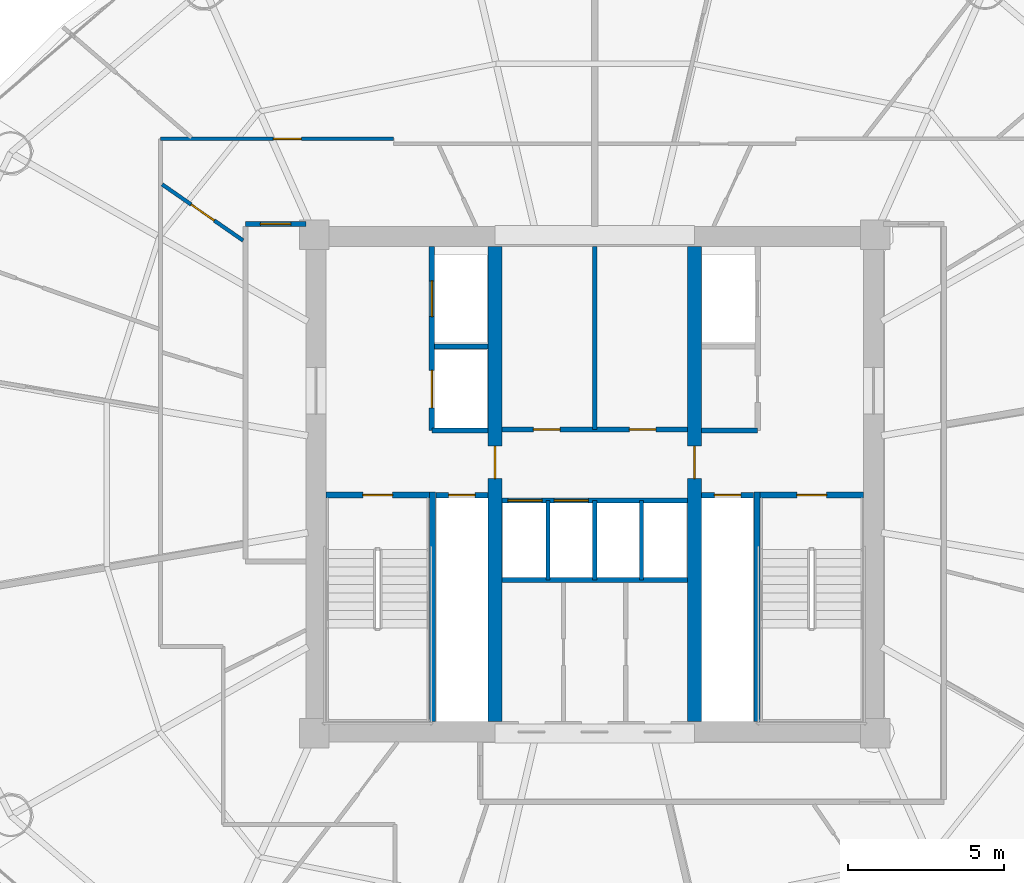
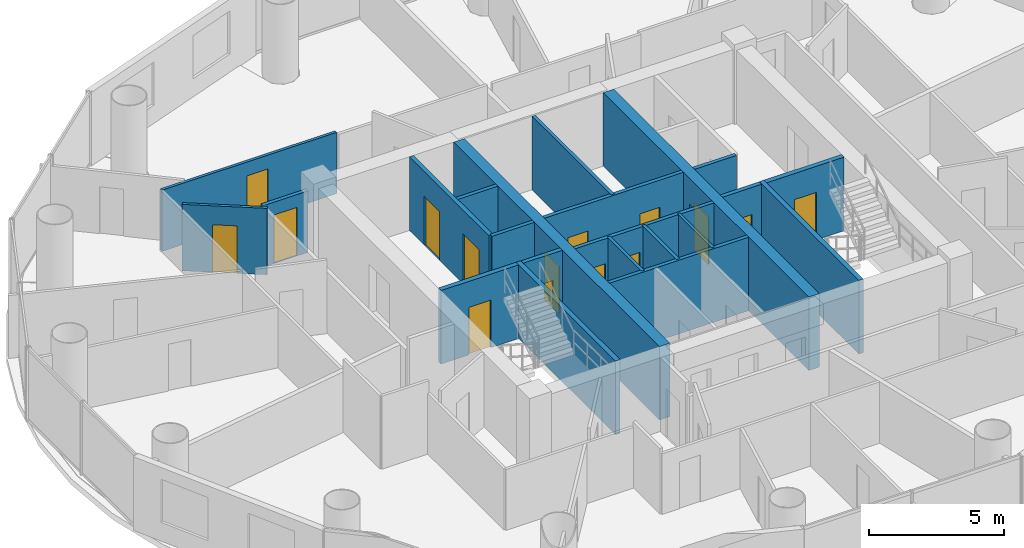
# One storey, part 21 of 26: 22 walls, 15 doors, 15 openings.
"""IFC4 building model written with IfcOpenShell, lengths in metres."""

from ifc_helpers import new_model, si_unit, direction, frame, frame_2d, origin, place, context, subcontext, project, spatial, rectangle, extrude, source, transform, mapped, material, layer, layer_set, type_object, element, fill, save


model = new_model("IFC4")

# Units and contexts
model_context = context("Model", 3, precision=1e-05, world=origin(), true_north=direction((-0.2419218956, 0.970295726276)))
body_context = subcontext(model_context, "Body", "Model", "MODEL_VIEW")
ifc_project = project(units=[si_unit("LENGTHUNIT", "METRE"), si_unit("AREAUNIT", "SQUARE_METRE"), si_unit("VOLUMEUNIT", "CUBIC_METRE"), si_unit("PLANEANGLEUNIT", "RADIAN"), si_unit("MASSUNIT", "GRAM", prefix="KILO")], contexts=[model_context])

# Site, building, storey
site_placement = place(None, origin())
site = spatial("IfcSite", under=ifc_project, at=site_placement, CompositionType="ELEMENT")
building_placement = place(site_placement, origin())
building = spatial("IfcBuilding", under=site, at=building_placement, Name="Cobrevalo Terracotta Tower", CompositionType="ELEMENT")
storey_placement = place(building_placement, frame((0.0, 0.0, 135.39990234375)))
storey = spatial("IfcBuildingStorey", under=building, at=storey_placement, Name="L35", CompositionType="ELEMENT", Elevation=135.39990234375)

# Walls
ifc_material_1 = material(Name="Gypsum board on steel stud", Category="steel")
ifc_layer_1 = layer(ifc_material_1, 0.159912109375)
ifc_layer_set_1 = layer_set([ifc_layer_1], Name="Gypsum board on steel stud")
wall_type_1 = type_object("IfcWallType", Name="Fire-rated corridor acoustic partition wall 160 mm", PredefinedType="PARTITIONING", material=ifc_layer_set_1)
wall_1_placement = place(storey_placement, frame((32.860107421875, 31.219970703125, 0.0), z_axis=(0.0, 0.0, 1.0), x_axis=(1.0, 0.0, 0.0)))
element("IfcWall", 1, at=wall_1_placement, inside=storey, type_object=wall_type_1, Name="L35 interior partition IW-L35-FF1-M", PredefinedType="PARTITIONING", context=body_context, shape_type="SweptSolid", body=[
    extrude(rectangle(XDim=1.71484375, YDim=0.159912109375, at=frame_2d((0.857421875, 0.0))), origin(), (0.0, 0.0, 1.0), 3.330078125),
])
for number, where, z_axis, x_axis, name in (
    (2, (32.77001953125, 28.52001953125, 0.0), (0.0, 0.0, 1.0), (1.0, 0.0, 0.0), "L35 interior partition IW-L35-FF1-S"),
    (3, (41.425048828125, 28.52001953125, 0.0), (0.0, 0.0, 1.0), (1.0, 0.0, 0.0), "L35 interior partition IW-L35-FF2-S"),
):
    element("IfcWall", number, at=place(storey_placement, frame(where, z_axis=z_axis, x_axis=x_axis)), inside=storey, type_object=wall_type_1, Name=name, PredefinedType="PARTITIONING", context=body_context, shape_type="SweptSolid", body=[
        extrude(rectangle(XDim=1.804931640625, YDim=0.159912109375, at=frame_2d((0.90234375, 0.0))), origin(), (0.0, 0.0, 1.0), 3.330078125),
    ])

# Wall, openings, doors
wall_2_placement = place(storey_placement, frame((35.02490234375, 28.56005859375, 0.0), z_axis=(0.0, 0.0, 1.0), x_axis=(1.0, 0.0, 0.0)))
wall_2 = element("IfcWall", 4, at=wall_2_placement, inside=storey, type_object=wall_type_1, Name="L35 interior partition IW-L35-LB-S", PredefinedType="PARTITIONING", context=body_context, shape_type="SweptSolid", body=[
    extrude(rectangle(XDim=5.9501953125, YDim=0.159912109375, at=frame_2d((2.97509765625, 0.0))), origin(), (0.0, 0.0, 1.0), 3.330078125),
])
opening_1_placement = place(wall_2_placement, frame((1.007568359375, 0.0, 0.0)))
opening_1 = element("IfcOpeningElement", 5, at=opening_1_placement, cuts=wall_2, Name="Opening ID-07", PredefinedType="OPENING", context=body_context, shape_type="SweptSolid", body=[
    extrude(rectangle(XDim=0.860107421875, YDim=2.10009765625, at=frame_2d((0.43017578125, 1.050048828125))), frame((0.0, 0.08984375, 0.0), z_axis=(0.0, -1.0, 0.0), x_axis=(1.0, 0.0, 0.0)), (0.0, 0.0, 1.0), 0.179931640625),
])
opening_2_placement = place(wall_2_placement, frame((4.08740234375, 0.0, 0.0)))
opening_2 = element("IfcOpeningElement", 6, at=opening_2_placement, cuts=wall_2, Name="Opening ID-22", PredefinedType="OPENING", context=body_context, shape_type="SweptSolid", body=[
    extrude(rectangle(XDim=0.85009765625, YDim=2.10009765625, at=frame_2d((0.425048828125, 1.050048828125))), frame((0.0, 0.08984375, 0.0), z_axis=(0.0, -1.0, 0.0), x_axis=(1.0, 0.0, 0.0)), (0.0, 0.0, 1.0), 0.179931640625),
])
ifc_material_2 = material(Name="Powder-coated steel", Category="steel")
door_type_1 = type_object("IfcDoorType", Name="Riser shaft & meter closet fire access door 850x2100 EI 60", OperationType="NOTDEFINED", PredefinedType="DOOR", material=ifc_material_2)
shared_shape_1 = source(origin(), body_context, "Body", "SweptSolid", [
    extrude(rectangle(XDim=0.85009765625, YDim=2.10009765625, at=frame_2d((0.425048828125, 1.050048828125))), frame((0.0, 0.02490234375, 0.0), z_axis=(0.0, -1.0, 0.0), x_axis=(1.0, 0.0, 0.0)), (0.0, 0.0, 1.0), 0.050048828125),
])
door_1_placement = place(opening_2_placement, origin())
door_1 = element("IfcDoor", 7, at=door_1_placement, inside=storey, type_object=door_type_1, Name="L35 core service door Floor Telecom and Metering Plant", OperationType="SINGLE_SWING_RIGHT", OverallHeight=2.10009765625, OverallWidth=0.85009765625, PredefinedType="DOOR", context=body_context, shape_type="MappedRepresentation", body=[
    mapped(shared_shape_1, transform((0.0, 0.0, 0.0), scale=1.0)),
])
fill(opening_2, door_1)
ifc_material_3 = material(Name="Fire-rated moisture-sealed timber", Category="wood")
door_type_2 = type_object("IfcDoorType", Name="Core & podium fire-rated accessible WC door 860x2100 EI 60", OperationType="NOTDEFINED", PredefinedType="DOOR", material=ifc_material_3)
shared_shape_2 = source(origin(), body_context, "Body", "SweptSolid", [
    extrude(rectangle(XDim=0.860107421875, YDim=2.10009765625, at=frame_2d((0.43017578125, 1.050048828125))), frame((0.0, 0.02490234375, 0.0), z_axis=(0.0, -1.0, 0.0), x_axis=(1.0, 0.0, 0.0)), (0.0, 0.0, 1.0), 0.050048828125),
])
door_2_placement = place(opening_1_placement, origin())
door_2 = element("IfcDoor", 8, at=door_2_placement, inside=storey, type_object=door_type_2, Name="L35 core service door Core Accessible Toilet WC", OperationType="SINGLE_SWING_LEFT", OverallHeight=2.10009765625, OverallWidth=0.860107421875, PredefinedType="DOOR", context=body_context, shape_type="MappedRepresentation", body=[
    mapped(shared_shape_2, transform((0.0, 0.0, 0.0), scale=1.0)),
])
fill(opening_1, door_2)

wall_3_placement = place(storey_placement, frame((35.02490234375, 26.280029296875, 0.0), z_axis=(0.0, 0.0, 1.0), x_axis=(1.0, 0.0, 0.0)))
wall_3 = element("IfcWall", 9, at=wall_3_placement, inside=storey, type_object=wall_type_1, Name="L35 interior partition IW-L35-MB-N", PredefinedType="PARTITIONING", context=body_context, shape_type="SweptSolid", body=[
    extrude(rectangle(XDim=5.9501953125, YDim=0.159912109375, at=frame_2d((2.97509765625, 0.0))), origin(), (0.0, 0.0, 1.0), 3.330078125),
])
opening_3_placement = place(wall_3_placement, frame((0.18994140625, 0.0, 0.0)))
opening_3 = element("IfcOpeningElement", 10, at=opening_3_placement, cuts=wall_3, Name="Opening LD-01", PredefinedType="OPENING", context=body_context, shape_type="SweptSolid", body=[
    extrude(rectangle(XDim=1.10009765625, YDim=2.199951171875, at=frame_2d((0.550048828125, 1.10009765625))), frame((0.0, 0.08984375, 0.0), z_axis=(0.0, -1.0, 0.0), x_axis=(1.0, 0.0, 0.0)), (0.0, 0.0, 1.0), 0.179931640625),
])
opening_4_placement = place(wall_3_placement, frame((1.669921875, 0.0, 0.0)))
opening_4 = element("IfcOpeningElement", 11, at=opening_4_placement, cuts=wall_3, Name="Opening LD-01", PredefinedType="OPENING", context=body_context, shape_type="SweptSolid", body=[
    extrude(rectangle(XDim=1.10009765625, YDim=2.199951171875, at=frame_2d((0.550048828125, 1.10009765625))), frame((0.0, 0.08984375, 0.0), z_axis=(0.0, -1.0, 0.0), x_axis=(1.0, 0.0, 0.0)), (0.0, 0.0, 1.0), 0.179931640625),
])
ifc_material_4 = material(Name="Brushed stainless steel", Category="steel")
door_type_3 = type_object("IfcDoorType", Name="Passenger lift landing bi-parting sliding door 1100x2200 EI 90", OperationType="DOUBLE_DOOR_SLIDING", PredefinedType="DOOR", material=ifc_material_4)
shared_shape_3 = source(origin(), body_context, "Body", "SweptSolid", [
    extrude(rectangle(XDim=1.10009765625, YDim=2.199951171875, at=frame_2d((0.550048828125, 1.10009765625))), frame((0.0, 0.02490234375, 0.0), z_axis=(0.0, -1.0, 0.0), x_axis=(1.0, 0.0, 0.0)), (0.0, 0.0, 1.0), 0.050048828125),
])
door_3_placement = place(opening_3_placement, origin())
door_3 = element("IfcDoor", 12, at=door_3_placement, inside=storey, type_object=door_type_3, Name="L35 lift landing door PL-M1", OperationType="DOUBLE_DOOR_SLIDING", OverallHeight=2.199951171875, OverallWidth=1.10009765625, PredefinedType="DOOR", context=body_context, shape_type="MappedRepresentation", body=[
    mapped(shared_shape_3, transform((0.0, 0.0, 0.0), scale=1.0)),
])
fill(opening_3, door_3)
door_4_placement = place(opening_4_placement, origin())
door_4 = element("IfcDoor", 13, at=door_4_placement, inside=storey, type_object=door_type_3, Name="L35 lift landing door PL-M2", OperationType="DOUBLE_DOOR_SLIDING", OverallHeight=2.199951171875, OverallWidth=1.10009765625, PredefinedType="DOOR", context=body_context, shape_type="MappedRepresentation", body=[
    mapped(shared_shape_3, transform((0.0, 0.0, 0.0), scale=1.0)),
])
fill(opening_4, door_4)

# Wall
wall_4_placement = place(storey_placement, frame((35.02490234375, 23.719970703125, 0.0), z_axis=(0.0, 0.0, 1.0), x_axis=(1.0, 0.0, 0.0)))
element("IfcWall", 14, at=wall_4_placement, inside=storey, type_object=wall_type_1, Name="L35 interior partition IW-L35-MB-S", PredefinedType="PARTITIONING", context=body_context, shape_type="SweptSolid", body=[
    extrude(rectangle(XDim=5.9501953125, YDim=0.159912109375, at=frame_2d((2.97509765625, 0.0))), origin(), (0.0, 0.0, 1.0), 3.330078125),
])

# Wall, opening, door
wall_5_placement = place(storey_placement, frame((26.794921875, 35.155029296875, 0.0), z_axis=(0.0, 0.0, 1.0), x_axis=(1.0, 0.0, 0.0)))
wall_5 = element("IfcWall", 15, at=wall_5_placement, inside=storey, type_object=wall_type_1, Name="L35 interior partition IW-L35-COR-WN-CAP", PredefinedType="PARTITIONING", context=body_context, shape_type="SweptSolid", body=[
    extrude(rectangle(XDim=1.93017578125, YDim=0.159912109375, at=frame_2d((0.965087890625, 0.0))), origin(), (0.0, 0.0, 1.0), 2.776123046875),
])
opening_5_placement = place(wall_5_placement, frame((0.47509765625, 0.0, 0.0)))
opening_5 = element("IfcOpeningElement", 16, at=opening_5_placement, cuts=wall_5, Name="Opening ID-05", PredefinedType="OPENING", context=body_context, shape_type="SweptSolid", body=[
    extrude(rectangle(XDim=0.97998046875, YDim=2.199951171875, at=frame_2d((0.489990234375, 1.10009765625))), frame((0.0, 0.08984375, 0.0), z_axis=(0.0, -1.0, 0.0), x_axis=(1.0, 0.0, 0.0)), (0.0, 0.0, 1.0), 0.179931640625),
])
ifc_material_5 = material(Name="Solid hardwood timber", Category="wood")
door_type_4 = type_object("IfcDoorType", Name="Residence entrance fire-rated acoustic timber door 980x2200 EI 60", OperationType="NOTDEFINED", PredefinedType="DOOR", material=ifc_material_5)
shared_shape_4 = source(origin(), body_context, "Body", "SweptSolid", [
    extrude(rectangle(XDim=0.97998046875, YDim=2.199951171875, at=frame_2d((0.489990234375, 1.10009765625))), frame((0.0, 0.02490234375, 0.0), z_axis=(0.0, -1.0, 0.0), x_axis=(1.0, 0.0, 0.0)), (0.0, 0.0, 1.0), 0.050048828125),
])
door_5_placement = place(opening_5_placement, origin())
door_5 = element("IfcDoor", 17, at=door_5_placement, inside=storey, type_object=door_type_4, Name="Flat L35B fire-rated apartment entrance door", OperationType="SINGLE_SWING_RIGHT", OverallHeight=2.199951171875, OverallWidth=0.97998046875, PredefinedType="DOOR", context=body_context, shape_type="MappedRepresentation", body=[
    mapped(shared_shape_4, transform((0.0, 0.0, 0.0), scale=1.0)),
])
fill(opening_5, door_5)

ifc_layer_2 = layer(ifc_material_1, 0.179931640625)
ifc_layer_set_2 = layer_set([ifc_layer_2], Name="Gypsum board on steel stud")
wall_type_2 = type_object("IfcWallType", Name="Fire-rated shaft & lobby acoustic partition wall 180 mm", PredefinedType="PARTITIONING", material=ifc_layer_set_2)
wall_6_placement = place(storey_placement, frame((32.89990234375, 26.449951171875, 0.0), z_axis=(0.0, 0.0, 1.0), x_axis=(1.0, 0.0, 0.0)))
wall_6 = element("IfcWall", 18, at=wall_6_placement, inside=storey, type_object=wall_type_2, Name="L35 interior partition IW-L35-RSW-N", PredefinedType="PARTITIONING", context=body_context, shape_type="SweptSolid", body=[
    extrude(rectangle(XDim=1.675048828125, YDim=0.179931640625, at=frame_2d((0.83740234375, 0.0))), origin(), (0.0, 0.0, 1.0), 3.330078125),
])
opening_6_placement = place(wall_6_placement, frame((0.41259765625, 0.0, 0.0)))
opening_6 = element("IfcOpeningElement", 19, at=opening_6_placement, cuts=wall_6, Name="Opening ID-22", PredefinedType="OPENING", context=body_context, shape_type="SweptSolid", body=[
    extrude(rectangle(XDim=0.85009765625, YDim=2.10009765625, at=frame_2d((0.425048828125, 1.050048828125))), frame((0.0, 0.10009765625, 0.0), z_axis=(0.0, -1.0, 0.0), x_axis=(1.0, 0.0, 0.0)), (0.0, 0.0, 1.0), 0.199951171875),
])
door_6_placement = place(opening_6_placement, origin())
door_6 = element("IfcDoor", 20, at=door_6_placement, inside=storey, type_object=door_type_1, Name="L35 riser access door RSW", OperationType="SINGLE_SWING_LEFT", OverallHeight=2.10009765625, OverallWidth=0.85009765625, PredefinedType="DOOR", context=body_context, shape_type="MappedRepresentation", body=[
    mapped(shared_shape_1, transform((0.0, 0.0, 0.0), scale=1.0)),
])
fill(opening_6, door_6)

wall_7_placement = place(storey_placement, frame((41.425048828125, 26.449951171875, 0.0), z_axis=(0.0, 0.0, 1.0), x_axis=(1.0, 0.0, 0.0)))
wall_7 = element("IfcWall", 21, at=wall_7_placement, inside=storey, type_object=wall_type_2, Name="L35 interior partition IW-L35-RSE-N", PredefinedType="PARTITIONING", context=body_context, shape_type="SweptSolid", body=[
    extrude(rectangle(XDim=1.675048828125, YDim=0.179931640625, at=frame_2d((0.83740234375, 0.0))), origin(), (0.0, 0.0, 1.0), 3.330078125),
])
opening_7_placement = place(wall_7_placement, frame((0.41259765625, 0.0, 0.0)))
opening_7 = element("IfcOpeningElement", 22, at=opening_7_placement, cuts=wall_7, Name="Opening ID-22", PredefinedType="OPENING", context=body_context, shape_type="SweptSolid", body=[
    extrude(rectangle(XDim=0.85009765625, YDim=2.10009765625, at=frame_2d((0.425048828125, 1.050048828125))), frame((0.0, 0.10009765625, 0.0), z_axis=(0.0, -1.0, 0.0), x_axis=(1.0, 0.0, 0.0)), (0.0, 0.0, 1.0), 0.199951171875),
])
door_7_placement = place(opening_7_placement, origin())
door_7 = element("IfcDoor", 23, at=door_7_placement, inside=storey, type_object=door_type_1, Name="L35 riser access door RSE", OperationType="SINGLE_SWING_RIGHT", OverallHeight=2.10009765625, OverallWidth=0.85009765625, PredefinedType="DOOR", context=body_context, shape_type="MappedRepresentation", body=[
    mapped(shared_shape_1, transform((0.0, 0.0, 0.0), scale=1.0)),
])
fill(opening_7, door_7)

# Wall, openings, doors
wall_8_placement = place(storey_placement, frame((32.77001953125, 28.52001953125, 0.0), z_axis=(0.0, 0.0, 1.0), x_axis=(0.0, 1.0, 0.0)))
wall_8 = element("IfcWall", 24, at=wall_8_placement, inside=storey, type_object=wall_type_2, Name="L35 interior partition IW-L35-FF1-W", PredefinedType="PARTITIONING", context=body_context, shape_type="SweptSolid", body=[
    extrude(rectangle(XDim=5.905029296875, YDim=0.179931640625, at=frame_2d((2.95263671875, 0.0))), origin(), (0.0, 0.0, 1.0), 3.330078125),
])
opening_8_placement = place(wall_8_placement, frame((3.655029296875, 0.0, 0.0)))
opening_8 = element("IfcOpeningElement", 25, at=opening_8_placement, cuts=wall_8, Name="Opening LD-02", PredefinedType="OPENING", context=body_context, shape_type="SweptSolid", body=[
    extrude(rectangle(XDim=1.14990234375, YDim=2.199951171875, at=frame_2d((0.574951171875, 1.10009765625))), frame((0.0, 0.10009765625, 0.0), z_axis=(0.0, -1.0, 0.0), x_axis=(1.0, 0.0, 0.0)), (0.0, 0.0, 1.0), 0.199951171875),
])
opening_9_placement = place(wall_8_placement, frame((0.72998046875, 0.0, 0.0)))
opening_9 = element("IfcOpeningElement", 26, at=opening_9_placement, cuts=wall_8, Name="Opening LD-03", PredefinedType="OPENING", context=body_context, shape_type="SweptSolid", body=[
    extrude(rectangle(XDim=1.199951171875, YDim=2.25, at=frame_2d((0.60009765625, 1.125))), frame((0.0, 0.10009765625, 0.0), z_axis=(0.0, -1.0, 0.0), x_axis=(1.0, 0.0, 0.0)), (0.0, 0.0, 1.0), 0.199951171875),
])
door_type_5 = type_object("IfcDoorType", Name="Firefighting lift landing bi-parting sliding door 1150x2200 EI 120", OperationType="DOUBLE_DOOR_SLIDING", PredefinedType="DOOR", material=ifc_material_4)
shared_shape_5 = source(origin(), body_context, "Body", "SweptSolid", [
    extrude(rectangle(XDim=1.14990234375, YDim=2.199951171875, at=frame_2d((0.574951171875, 1.10009765625))), frame((0.0, 0.02490234375, 0.0), z_axis=(0.0, -1.0, 0.0), x_axis=(1.0, 0.0, 0.0)), (0.0, 0.0, 1.0), 0.050048828125),
])
door_8_placement = place(opening_8_placement, origin())
door_8 = element("IfcDoor", 27, at=door_8_placement, inside=storey, type_object=door_type_5, Name="L35 lift landing door FF-1", OperationType="DOUBLE_DOOR_SLIDING", OverallHeight=2.199951171875, OverallWidth=1.14990234375, PredefinedType="DOOR", context=body_context, shape_type="MappedRepresentation", body=[
    mapped(shared_shape_5, transform((0.0, 0.0, 0.0), scale=1.0)),
])
fill(opening_8, door_8)
door_type_6 = type_object("IfcDoorType", Name="Service lift landing bi-parting sliding door 1200x2250 EI 120", OperationType="DOUBLE_DOOR_SLIDING", PredefinedType="DOOR", material=ifc_material_4)
shared_shape_6 = source(origin(), body_context, "Body", "SweptSolid", [
    extrude(rectangle(XDim=1.199951171875, YDim=2.25, at=frame_2d((0.60009765625, 1.125))), frame((0.0, 0.02490234375, 0.0), z_axis=(0.0, -1.0, 0.0), x_axis=(1.0, 0.0, 0.0)), (0.0, 0.0, 1.0), 0.050048828125),
])
door_9_placement = place(opening_9_placement, origin())
door_9 = element("IfcDoor", 28, at=door_9_placement, inside=storey, type_object=door_type_6, Name="L35 lift landing door SV-1", OperationType="DOUBLE_DOOR_SLIDING", OverallHeight=2.25, OverallWidth=1.199951171875, PredefinedType="DOOR", context=body_context, shape_type="MappedRepresentation", body=[
    mapped(shared_shape_6, transform((0.0, 0.0, 0.0), scale=1.0)),
])
fill(opening_9, door_9)

# Walls
ifc_material_6 = material(Name="Autoclaved aerated concrete block", Category="concrete")
ifc_layer_3 = layer(ifc_material_6, 0.1201171875)
ifc_layer_set_3 = layer_set([ifc_layer_3], Name="Autoclaved aerated concrete block")
wall_type_3 = type_object("IfcWallType", Name="Fire-rated wet-room & core service partition 120 mm", PredefinedType="PARTITIONING", material=ifc_layer_set_3)
for number, where, z_axis, x_axis, name in (
    (29, (36.5, 23.719970703125, 0.0), (0.0, 0.0, 1.0), (0.0, 1.0, 0.0), "L35 interior partition IW-L35-MB-D1"),
    (30, (39.5, 23.719970703125, 0.0), (0.0, 0.0, 1.0), (0.0, 1.0, 0.0), "L35 interior partition IW-L35-MB-D3"),
):
    element("IfcWall", number, at=place(storey_placement, frame(where, z_axis=z_axis, x_axis=x_axis)), inside=storey, type_object=wall_type_3, Name=name, PredefinedType="PARTITIONING", context=body_context, shape_type="SweptSolid", body=[
        extrude(rectangle(XDim=2.56005859375, YDim=0.1201171875, at=frame_2d((1.280029296875, 0.0))), origin(), (0.0, 0.0, 1.0), 3.330078125),
    ])

# Wall, opening, door
ifc_material_7 = material(Name="Concrete C55", Category="concrete")
ifc_layer_4 = layer(ifc_material_7, 0.449951171875)
ifc_layer_set_4 = layer_set([ifc_layer_4], Name="Concrete C55")
wall_type_4 = type_object("IfcWallType", Name="Internal core shear web wall 450 mm Concrete C55", PredefinedType="SHEAR", material=ifc_layer_set_4)
wall_9_placement = place(storey_placement, frame((34.800048828125, 19.175048828125, 0.0), z_axis=(0.0, 0.0, 1.0), x_axis=(0.0, 1.0, 0.0)))
wall_9 = element("IfcWall", 31, at=wall_9_placement, inside=storey, type_object=wall_type_4, Name="L35 internal core shear wall WEB-W", PredefinedType="SHEAR", context=body_context, shape_type="SweptSolid", body=[
    extrude(rectangle(XDim=15.25, YDim=0.449951171875, at=frame_2d((7.625, 0.0))), origin(), (0.0, 0.0, 1.0), 3.330078125),
])
opening_10_placement = place(wall_9_placement, frame((7.800048828125, 0.0, 0.0)))
opening_10 = element("IfcOpeningElement", 32, at=opening_10_placement, cuts=wall_9, Name="Opening ID-11", PredefinedType="OPENING", context=body_context, shape_type="SweptSolid", body=[
    extrude(rectangle(XDim=1.050048828125, YDim=2.14990234375, at=frame_2d((0.52490234375, 1.074951171875))), frame((0.0, 0.23486328125, 0.0), z_axis=(0.0, -1.0, 0.0), x_axis=(1.0, 0.0, 0.0)), (0.0, 0.0, 1.0), 0.469970703125),
])
ifc_material_8 = material(Name="Galvanized fire-rated steel", Category="steel")
door_type_7 = type_object("IfcDoorType", Name="Core concourse cross fire door 1050x2150 EI 90", OperationType="NOTDEFINED", PredefinedType="DOOR", material=ifc_material_8)
shared_shape_7 = source(origin(), body_context, "Body", "SweptSolid", [
    extrude(rectangle(XDim=1.050048828125, YDim=2.14990234375, at=frame_2d((0.52490234375, 1.074951171875))), frame((0.0, 0.02490234375, 0.0), z_axis=(0.0, -1.0, 0.0), x_axis=(1.0, 0.0, 0.0)), (0.0, 0.0, 1.0), 0.050048828125),
])
door_10_placement = place(opening_10_placement, origin())
door_10 = element("IfcDoor", 33, at=door_10_placement, inside=storey, type_object=door_type_7, Name="L35 west core concourse cross door", OperationType="SINGLE_SWING_LEFT", OverallHeight=2.14990234375, OverallWidth=1.050048828125, PredefinedType="DOOR", context=body_context, shape_type="MappedRepresentation", body=[
    mapped(shared_shape_7, transform((0.0, 0.0, 0.0), scale=1.0)),
])
fill(opening_10, door_10)

wall_10_placement = place(storey_placement, frame((41.199951171875, 19.175048828125, 0.0), z_axis=(0.0, 0.0, 1.0), x_axis=(0.0, 1.0, 0.0)))
wall_10 = element("IfcWall", 34, at=wall_10_placement, inside=storey, type_object=wall_type_4, Name="L35 internal core shear wall WEB-E", PredefinedType="SHEAR", context=body_context, shape_type="SweptSolid", body=[
    extrude(rectangle(XDim=15.25, YDim=0.449951171875, at=frame_2d((7.625, 0.0))), origin(), (0.0, 0.0, 1.0), 3.330078125),
])
opening_11_placement = place(wall_10_placement, frame((7.800048828125, 0.0, 0.0)))
opening_11 = element("IfcOpeningElement", 35, at=opening_11_placement, cuts=wall_10, Name="Opening ID-11", PredefinedType="OPENING", context=body_context, shape_type="SweptSolid", body=[
    extrude(rectangle(XDim=1.050048828125, YDim=2.14990234375, at=frame_2d((0.52490234375, 1.074951171875))), frame((0.0, 0.23486328125, 0.0), z_axis=(0.0, -1.0, 0.0), x_axis=(1.0, 0.0, 0.0)), (0.0, 0.0, 1.0), 0.469970703125),
])
door_11_placement = place(opening_11_placement, frame((1.050048828125, 0.0, 0.0), z_axis=(0.0, 0.0, 1.0), x_axis=(-1.0, 0.0, 0.0)))
door_11 = element("IfcDoor", 36, at=door_11_placement, inside=storey, type_object=door_type_7, Name="L35 east core concourse cross door", OperationType="SINGLE_SWING_RIGHT", OverallHeight=2.14990234375, OverallWidth=1.050048828125, PredefinedType="DOOR", context=body_context, shape_type="MappedRepresentation", body=[
    mapped(shared_shape_7, transform((0.0, 0.0, 0.0), scale=1.0)),
])
fill(opening_11, door_11)

# Walls
ifc_layer_5 = layer(ifc_material_6, 0.139892578125)
ifc_layer_set_5 = layer_set([ifc_layer_5], Name="Autoclaved aerated concrete block")
wall_type_5 = type_object("IfcWallType", Name="Moisture-resistant wet-room & core service partition 140 mm", PredefinedType="PARTITIONING", material=ifc_layer_set_5)
wall_11_placement = place(storey_placement, frame((38.0, 28.56005859375, 0.0), z_axis=(0.0, 0.0, 1.0), x_axis=(0.0, 1.0, 0.0)))
element("IfcWall", 37, at=wall_11_placement, inside=storey, type_object=wall_type_5, Name="L35 interior partition IW-L35-KVN-1", PredefinedType="PARTITIONING", context=body_context, shape_type="SweptSolid", body=[
    extrude(rectangle(XDim=5.864990234375, YDim=0.139892578125, at=frame_2d((2.9326171875, 0.0))), origin(), (0.0, 0.0, 1.0), 3.330078125),
])
wall_12_placement = place(storey_placement, frame((38.0, 23.719970703125, 0.0), z_axis=(0.0, 0.0, 1.0), x_axis=(0.0, 1.0, 0.0)))
element("IfcWall", 38, at=wall_12_placement, inside=storey, type_object=wall_type_5, Name="L35 interior partition IW-L35-MB-D2", PredefinedType="PARTITIONING", context=body_context, shape_type="SweptSolid", body=[
    extrude(rectangle(XDim=2.56005859375, YDim=0.139892578125, at=frame_2d((1.280029296875, 0.0))), origin(), (0.0, 0.0, 1.0), 3.330078125),
])

# Wall, opening, door
ifc_layer_6 = layer(ifc_material_1, 0.1201171875)
ifc_layer_set_6 = layer_set([ifc_layer_6], Name="Gypsum board on steel stud")
wall_type_6 = type_object("IfcWallType", Name="Residential internal acoustic stud partition 120 mm", PredefinedType="PARTITIONING", material=ifc_layer_set_6)
wall_13_placement = place(storey_placement, frame((24.06494140625, 37.885009765625, 0.0), z_axis=(0.0, 0.0, 1.0), x_axis=(1.0, 0.0, 0.0)))
wall_13 = element("IfcWall", 39, at=wall_13_placement, inside=storey, type_object=wall_type_6, Name="L35 interior partition IW-L35-U2-RING1_0", PredefinedType="PARTITIONING", context=body_context, shape_type="SweptSolid", body=[
    extrude(rectangle(XDim=7.469970703125, YDim=0.1201171875, at=frame_2d((3.73486328125, 0.0))), origin(), (0.0, 0.0, 1.0), 2.776123046875),
])
opening_12_placement = place(wall_13_placement, frame((3.619873046875, 0.0, 0.0)))
opening_12 = element("IfcOpeningElement", 40, at=opening_12_placement, cuts=wall_13, Name="Opening ID-12", PredefinedType="OPENING", context=body_context, shape_type="SweptSolid", body=[
    extrude(rectangle(XDim=0.89990234375, YDim=2.14990234375, at=frame_2d((0.449951171875, 1.074951171875))), frame((0.0, 0.070068359375, 0.0), z_axis=(0.0, -1.0, 0.0), x_axis=(1.0, 0.0, 0.0)), (0.0, 0.0, 1.0), 0.14013671875),
])
ifc_material_9 = material(Name="Engineered timber", Category="wood")
door_type_8 = type_object("IfcDoorType", Name="Internal residence & suite timber door 900x2150", OperationType="NOTDEFINED", PredefinedType="DOOR", material=ifc_material_9)
shared_shape_8 = source(origin(), body_context, "Body", "SweptSolid", [
    extrude(rectangle(XDim=0.89990234375, YDim=2.14990234375, at=frame_2d((0.449951171875, 1.074951171875))), frame((0.0, 0.02490234375, 0.0), z_axis=(0.0, -1.0, 0.0), x_axis=(1.0, 0.0, 0.0)), (0.0, 0.0, 1.0), 0.050048828125),
])
door_12_placement = place(opening_12_placement, origin())
door_12 = element("IfcDoor", 41, at=door_12_placement, inside=storey, type_object=door_type_8, Name="Flat L35B Penthouse Living and Dining Room internal door", OperationType="SINGLE_SWING_RIGHT", OverallHeight=2.14990234375, OverallWidth=0.89990234375, PredefinedType="DOOR", context=body_context, shape_type="MappedRepresentation", body=[
    mapped(shared_shape_8, transform((0.0, 0.0, 0.0), scale=1.0)),
])
fill(opening_12, door_12)

wall_14_placement = place(storey_placement, frame((26.715087890625, 34.62060546875, 0.0), z_axis=(0.0, 0.0, 1.0), x_axis=(-0.821950303779, 0.569559213881, 0.0)))
wall_14 = element("IfcWall", 42, at=wall_14_placement, inside=storey, type_object=wall_type_6, Name="L35 interior partition IW-L35-U2-IRAD2", PredefinedType="PARTITIONING", context=body_context, shape_type="SweptSolid", body=[
    extrude(rectangle(XDim=3.162109375, YDim=0.1201171875, at=frame_2d((1.5810546875, 0.0))), origin(), (0.0, 0.0, 1.0), 3.005126953125),
])
opening_13_placement = place(wall_14_placement, frame((1.131103515625, 0.0, 0.0)))
opening_13 = element("IfcOpeningElement", 43, at=opening_13_placement, cuts=wall_14, Name="Opening ID-12", PredefinedType="OPENING", context=body_context, shape_type="SweptSolid", body=[
    extrude(rectangle(XDim=0.89990234375, YDim=2.14990234375, at=frame_2d((0.449951171875, 1.074951171875))), frame((0.0, 0.070068359375, 0.0), z_axis=(0.0, -1.0, 0.0), x_axis=(1.0, 0.0, 0.0)), (0.0, 0.0, 1.0), 0.14013671875),
])
door_13_placement = place(opening_13_placement, origin())
door_13 = element("IfcDoor", 44, at=door_13_placement, inside=storey, type_object=door_type_8, Name="Flat L35B Kitchen internal door", OperationType="SINGLE_SWING_LEFT", OverallHeight=2.14990234375, OverallWidth=0.89990234375, PredefinedType="DOOR", context=body_context, shape_type="MappedRepresentation", body=[
    mapped(shared_shape_8, transform((0.0, 0.0, 0.0), scale=1.0)),
])
fill(opening_13, door_13)

# Wall
ifc_material_10 = material(Name="Concrete C50", Category="concrete")
ifc_layer_7 = layer(ifc_material_10, 0.199951171875)
ifc_layer_set_7 = layer_set([ifc_layer_7], Name="Concrete C50")
wall_type_7 = type_object("IfcWallType", Name="Structural core & podium stair-shaft RC wall 200 mm Concrete C50", PredefinedType="SOLIDWALL", material=ifc_layer_set_7)
wall_15_placement = place(storey_placement, frame((32.794921875, 19.175048828125, 0.0), z_axis=(0.0, 0.0, 1.0), x_axis=(0.0, 1.0, 0.0)))
element("IfcWall", 45, at=wall_15_placement, inside=storey, type_object=wall_type_7, Name="L35 ST-1 east structural shaft wall", PredefinedType="SOLIDWALL", context=body_context, shape_type="SweptSolid", body=[
    extrude(rectangle(XDim=7.375, YDim=0.199951171875, at=frame_2d((3.6875, 0.0))), origin(), (0.0, 0.0, 1.0), 3.330078125),
])

# Wall, opening, door
wall_16_placement = place(storey_placement, frame((29.375, 26.449951171875, 0.0), z_axis=(0.0, 0.0, 1.0), x_axis=(1.0, 0.0, 0.0)))
wall_16 = element("IfcWall", 46, at=wall_16_placement, inside=storey, type_object=wall_type_7, Name="L35 ST-1 north structural shaft wall", PredefinedType="SOLIDWALL", context=body_context, shape_type="SweptSolid", body=[
    extrude(rectangle(XDim=3.320068359375, YDim=0.199951171875, at=frame_2d((1.66015625, 0.0))), origin(), (0.0, 0.0, 1.0), 3.330078125),
])
opening_14_placement = place(wall_16_placement, frame((1.18505859375, 0.0, 0.0)))
opening_14 = element("IfcOpeningElement", 47, at=opening_14_placement, cuts=wall_16, Name="Opening ID-04", PredefinedType="OPENING", context=body_context, shape_type="SweptSolid", body=[
    extrude(rectangle(XDim=0.949951171875, YDim=2.14990234375, at=frame_2d((0.47509765625, 1.074951171875))), frame((0.0, 0.10986328125, 0.0), z_axis=(0.0, -1.0, 0.0), x_axis=(1.0, 0.0, 0.0)), (0.0, 0.0, 1.0), 0.219970703125),
])
door_type_9 = type_object("IfcDoorType", Name="Stair & firefighting lobby fire door 950x2150 EI 90", OperationType="NOTDEFINED", PredefinedType="DOOR", material=ifc_material_8)
shared_shape_9 = source(origin(), body_context, "Body", "SweptSolid", [
    extrude(rectangle(XDim=0.949951171875, YDim=2.14990234375, at=frame_2d((0.47509765625, 1.074951171875))), frame((0.0, 0.02490234375, 0.0), z_axis=(0.0, -1.0, 0.0), x_axis=(1.0, 0.0, 0.0)), (0.0, 0.0, 1.0), 0.050048828125),
])
door_14_placement = place(opening_14_placement, origin())
door_14 = element("IfcDoor", 48, at=door_14_placement, inside=storey, type_object=door_type_9, Name="L35 protected stair ST1 fire door", OperationType="SINGLE_SWING_LEFT", OverallHeight=2.14990234375, OverallWidth=0.949951171875, PredefinedType="DOOR", context=body_context, shape_type="MappedRepresentation", body=[
    mapped(shared_shape_9, transform((0.0, 0.0, 0.0), scale=1.0)),
])
fill(opening_14, door_14)

# Wall
wall_17_placement = place(storey_placement, frame((43.205078125, 19.175048828125, 0.0), z_axis=(0.0, 0.0, 1.0), x_axis=(0.0, 1.0, 0.0)))
element("IfcWall", 49, at=wall_17_placement, inside=storey, type_object=wall_type_7, Name="L35 ST-2 west structural shaft wall", PredefinedType="SOLIDWALL", context=body_context, shape_type="SweptSolid", body=[
    extrude(rectangle(XDim=7.375, YDim=0.199951171875, at=frame_2d((3.6875, 0.0))), origin(), (0.0, 0.0, 1.0), 3.330078125),
])

# Wall, opening, door
wall_18_placement = place(storey_placement, frame((43.304931640625, 26.449951171875, 0.0), z_axis=(0.0, 0.0, 1.0), x_axis=(1.0, 0.0, 0.0)))
wall_18 = element("IfcWall", 50, at=wall_18_placement, inside=storey, type_object=wall_type_7, Name="L35 ST-2 north structural shaft wall", PredefinedType="SOLIDWALL", context=body_context, shape_type="SweptSolid", body=[
    extrude(rectangle(XDim=3.320068359375, YDim=0.199951171875, at=frame_2d((1.66015625, 0.0))), origin(), (0.0, 0.0, 1.0), 3.330078125),
])
opening_15_placement = place(wall_18_placement, frame((1.18505859375, 0.0, 0.0)))
opening_15 = element("IfcOpeningElement", 51, at=opening_15_placement, cuts=wall_18, Name="Opening ID-04", PredefinedType="OPENING", context=body_context, shape_type="SweptSolid", body=[
    extrude(rectangle(XDim=0.949951171875, YDim=2.14990234375, at=frame_2d((0.47509765625, 1.074951171875))), frame((0.0, 0.10986328125, 0.0), z_axis=(0.0, -1.0, 0.0), x_axis=(1.0, 0.0, 0.0)), (0.0, 0.0, 1.0), 0.219970703125),
])
door_15_placement = place(opening_15_placement, frame((0.949951171875, 0.0, 0.0), z_axis=(0.0, 0.0, 1.0), x_axis=(-1.0, 0.0, 0.0)))
door_15 = element("IfcDoor", 52, at=door_15_placement, inside=storey, type_object=door_type_9, Name="L35 protected stair ST2 fire door", OperationType="SINGLE_SWING_RIGHT", OverallHeight=2.14990234375, OverallWidth=0.949951171875, PredefinedType="DOOR", context=body_context, shape_type="MappedRepresentation", body=[
    mapped(shared_shape_9, transform((0.0, 0.0, 0.0), scale=1.0)),
])
fill(opening_15, door_15)

save(model, "model.ifc")
